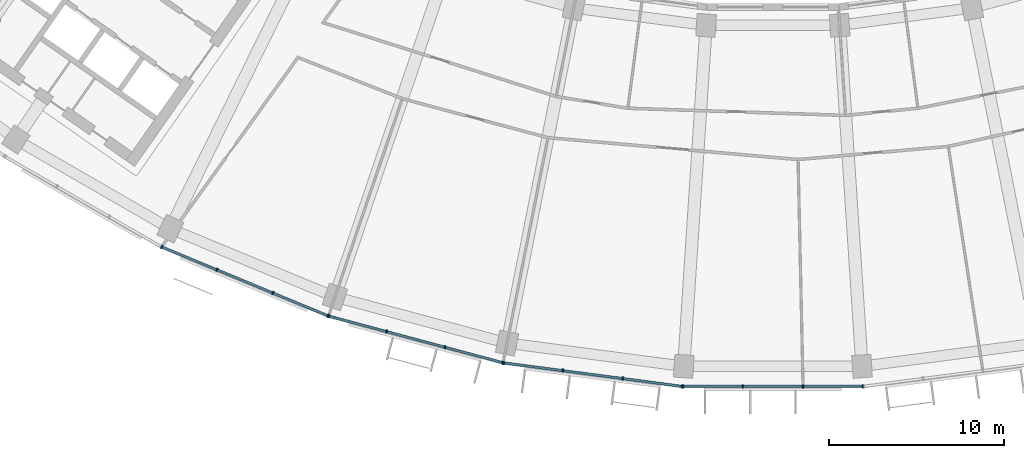
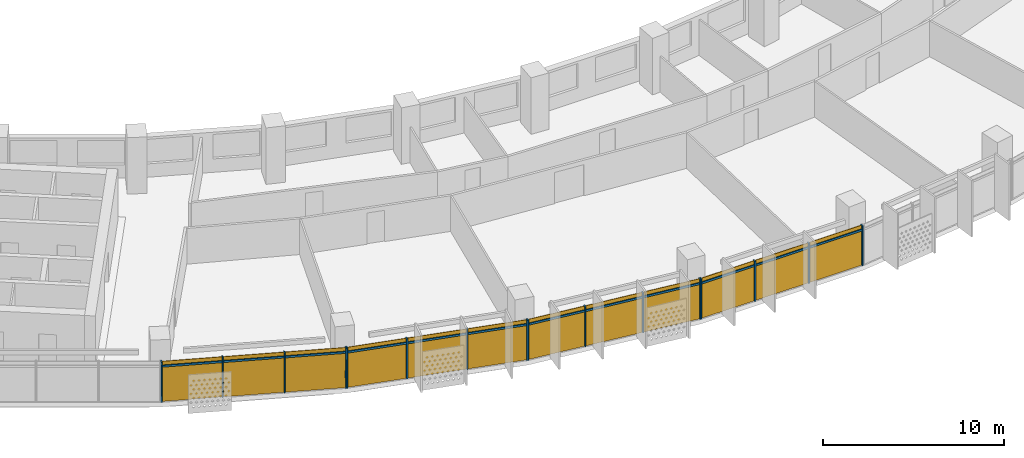
# One storey, part 18 of 27: 28 members, 4 curtain walls.
"""IFC4 building model written with IfcOpenShell, lengths in metres."""

from ifc_helpers import new_model, si_unit, direction, frame, origin, origin_2d, place, context, subcontext, project, spatial, rectangle, extrude, material, material_profile, profile_set, type_object, element, aggregate, save


model = new_model("IFC4")

# Units and contexts
model_context = context("Model", 3, precision=1e-05, world=origin(), true_north=direction((0.0, 1.0)))
body_context = subcontext(model_context, "Body", "Model", "MODEL_VIEW")
ifc_project = project(units=[si_unit("LENGTHUNIT", "METRE"), si_unit("AREAUNIT", "SQUARE_METRE"), si_unit("VOLUMEUNIT", "CUBIC_METRE"), si_unit("PLANEANGLEUNIT", "RADIAN"), si_unit("MASSUNIT", "GRAM", prefix="KILO")], contexts=[model_context])

# Member
ifc_material = material(Name="Aluminium 6063-T6 anodised", Category="aluminium")
ifc_material_profile_1 = material_profile(ifc_material, rectangle(XDim=0.199951171875, YDim=0.070068359375, at=origin_2d()))
ifc_profile_set_1 = profile_set([ifc_material_profile_1], Name="Aluminium 6063-T6 anodised")
member_type_1 = type_object("IfcMemberType", Name="Mullion 70 x 200 aluminium", PredefinedType="MULLION", material=ifc_profile_set_1)
site_placement = place(None, origin())
building_placement = place(site_placement, origin())
storey_placement = place(building_placement, frame((0.0, 0.0, 191.10009765625)))
member_1_placement = place(storey_placement, frame((-34.8701171875, -70.77392578125, 0.0), z_axis=(0.0, 0.0, 1.0), x_axis=(0.382683432365, 0.923879532511, 0.0)))
member_1 = element("IfcMember", 1, at=member_1_placement, type_object=member_type_1, Name="e-cw1-L45-out04/M00", PredefinedType="MULLION", context=body_context, shape_type="SweptSolid", body=[
    extrude(rectangle(XDim=0.199951171875, YDim=0.070068359375, at=origin_2d()), origin(), (0.0, 0.0, 1.0), 2.699951171875),
])

member_2_placement = place(storey_placement, frame((-31.72021484375, -72.078857421875, 0.0), z_axis=(0.0, 0.0, 1.0), x_axis=(0.382683432365, 0.923879532511, 0.0)))
member_2 = element("IfcMember", 2, at=member_2_placement, type_object=member_type_1, Name="e-cw1-L45-out04/M01", PredefinedType="MULLION", context=body_context, shape_type="SweptSolid", body=[
    extrude(rectangle(XDim=0.199951171875, YDim=0.070068359375, at=origin_2d()), origin(), (0.0, 0.0, 1.0), 2.699951171875),
])

member_3_placement = place(storey_placement, frame((-28.537841796875, -73.39697265625, 0.0), z_axis=(0.0, 0.0, 1.0), x_axis=(0.382683432365, 0.923879532511, 0.0)))
member_3 = element("IfcMember", 3, at=member_3_placement, type_object=member_type_1, Name="e-cw1-L45-out04/M02", PredefinedType="MULLION", context=body_context, shape_type="SweptSolid", body=[
    extrude(rectangle(XDim=0.199951171875, YDim=0.070068359375, at=origin_2d()), origin(), (0.0, 0.0, 1.0), 2.699951171875),
])

member_4_placement = place(storey_placement, frame((-25.3876953125, -74.70166015625, 0.0), z_axis=(0.0, 0.0, 1.0), x_axis=(0.382683432365, 0.923879532511, 0.0)))
member_4 = element("IfcMember", 4, at=member_4_placement, type_object=member_type_1, Name="e-cw1-L45-out04/M03", PredefinedType="MULLION", context=body_context, shape_type="SweptSolid", body=[
    extrude(rectangle(XDim=0.199951171875, YDim=0.070068359375, at=origin_2d()), origin(), (0.0, 0.0, 1.0), 2.699951171875),
])

member_5_placement = place(storey_placement, frame((-25.333984375, -74.719970703125, 0.0), z_axis=(0.0, 0.0, 1.0), x_axis=(0.258819045103, 0.965925826289, 0.0)))
member_5 = element("IfcMember", 5, at=member_5_placement, type_object=member_type_1, Name="e-cw1-L45-out05/M00", PredefinedType="MULLION", context=body_context, shape_type="SweptSolid", body=[
    extrude(rectangle(XDim=0.199951171875, YDim=0.070068359375, at=origin_2d()), origin(), (0.0, 0.0, 1.0), 2.699951171875),
])

member_6_placement = place(storey_placement, frame((-22.04052734375, -75.602294921875, 0.0), z_axis=(0.0, 0.0, 1.0), x_axis=(0.258819045103, 0.965925826289, 0.0)))
member_6 = element("IfcMember", 6, at=member_6_placement, type_object=member_type_1, Name="e-cw1-L45-out05/M01", PredefinedType="MULLION", context=body_context, shape_type="SweptSolid", body=[
    extrude(rectangle(XDim=0.199951171875, YDim=0.070068359375, at=origin_2d()), origin(), (0.0, 0.0, 1.0), 2.699951171875),
])

member_7_placement = place(storey_placement, frame((-18.71337890625, -76.493896484375, 0.0), z_axis=(0.0, 0.0, 1.0), x_axis=(0.258819045103, 0.965925826289, 0.0)))
member_7 = element("IfcMember", 7, at=member_7_placement, type_object=member_type_1, Name="e-cw1-L45-out05/M02", PredefinedType="MULLION", context=body_context, shape_type="SweptSolid", body=[
    extrude(rectangle(XDim=0.199951171875, YDim=0.070068359375, at=origin_2d()), origin(), (0.0, 0.0, 1.0), 2.699951171875),
])

member_8_placement = place(storey_placement, frame((-15.420166015625, -77.37646484375, 0.0), z_axis=(0.0, 0.0, 1.0), x_axis=(0.258819045103, 0.965925826289, 0.0)))
member_8 = element("IfcMember", 8, at=member_8_placement, type_object=member_type_1, Name="e-cw1-L45-out05/M03", PredefinedType="MULLION", context=body_context, shape_type="SweptSolid", body=[
    extrude(rectangle(XDim=0.199951171875, YDim=0.070068359375, at=origin_2d()), origin(), (0.0, 0.0, 1.0), 2.699951171875),
])

member_9_placement = place(storey_placement, frame((-15.364501953125, -77.387451171875, 0.0), z_axis=(0.0, 0.0, 1.0), x_axis=(0.13052619222, 0.991444861374, 0.0)))
member_9 = element("IfcMember", 9, at=member_9_placement, type_object=member_type_1, Name="e-cw1-L45-out06/M00", PredefinedType="MULLION", context=body_context, shape_type="SweptSolid", body=[
    extrude(rectangle(XDim=0.199951171875, YDim=0.070068359375, at=origin_2d()), origin(), (0.0, 0.0, 1.0), 2.699951171875),
])

member_10_placement = place(storey_placement, frame((-11.98388671875, -77.83251953125, 0.0), z_axis=(0.0, 0.0, 1.0), x_axis=(0.13052619222, 0.991444861374, 0.0)))
member_10 = element("IfcMember", 10, at=member_10_placement, type_object=member_type_1, Name="e-cw1-L45-out06/M01", PredefinedType="MULLION", context=body_context, shape_type="SweptSolid", body=[
    extrude(rectangle(XDim=0.199951171875, YDim=0.070068359375, at=origin_2d()), origin(), (0.0, 0.0, 1.0), 2.699951171875),
])

member_11_placement = place(storey_placement, frame((-8.56884765625, -78.2822265625, 0.0), z_axis=(0.0, 0.0, 1.0), x_axis=(0.13052619222, 0.991444861374, 0.0)))
member_11 = element("IfcMember", 11, at=member_11_placement, type_object=member_type_1, Name="e-cw1-L45-out06/M02", PredefinedType="MULLION", context=body_context, shape_type="SweptSolid", body=[
    extrude(rectangle(XDim=0.199951171875, YDim=0.070068359375, at=origin_2d()), origin(), (0.0, 0.0, 1.0), 2.699951171875),
])

member_12_placement = place(storey_placement, frame((-5.1884765625, -78.72705078125, 0.0), z_axis=(0.0, 0.0, 1.0), x_axis=(0.13052619222, 0.991444861374, 0.0)))
member_12 = element("IfcMember", 12, at=member_12_placement, type_object=member_type_1, Name="e-cw1-L45-out06/M03", PredefinedType="MULLION", context=body_context, shape_type="SweptSolid", body=[
    extrude(rectangle(XDim=0.199951171875, YDim=0.070068359375, at=origin_2d()), origin(), (0.0, 0.0, 1.0), 2.699951171875),
])

member_13_placement = place(storey_placement, frame((-5.1318359375, -78.73095703125, 0.0), z_axis=(0.0, 0.0, 1.0), x_axis=(0.0, 1.0, 0.0)))
member_13 = element("IfcMember", 13, at=member_13_placement, type_object=member_type_1, Name="e-cw1-L45-out07/M00", PredefinedType="MULLION", context=body_context, shape_type="SweptSolid", body=[
    extrude(rectangle(XDim=0.199951171875, YDim=0.070068359375, at=origin_2d()), origin(), (0.0, 0.0, 1.0), 2.699951171875),
])

member_14_placement = place(storey_placement, frame((-1.72216796875, -78.73095703125, 0.0), z_axis=(0.0, 0.0, 1.0), x_axis=(0.0, 1.0, 0.0)))
member_14 = element("IfcMember", 14, at=member_14_placement, type_object=member_type_1, Name="e-cw1-L45-out07/M01", PredefinedType="MULLION", context=body_context, shape_type="SweptSolid", body=[
    extrude(rectangle(XDim=0.199951171875, YDim=0.070068359375, at=origin_2d()), origin(), (0.0, 0.0, 1.0), 2.699951171875),
])

member_15_placement = place(storey_placement, frame((1.72216796875, -78.73095703125, 0.0), z_axis=(0.0, 0.0, 1.0), x_axis=(0.0, 1.0, 0.0)))
member_15 = element("IfcMember", 15, at=member_15_placement, type_object=member_type_1, Name="e-cw1-L45-out07/M02", PredefinedType="MULLION", context=body_context, shape_type="SweptSolid", body=[
    extrude(rectangle(XDim=0.199951171875, YDim=0.070068359375, at=origin_2d()), origin(), (0.0, 0.0, 1.0), 2.699951171875),
])

member_16_placement = place(storey_placement, frame((5.1318359375, -78.73095703125, 0.0), z_axis=(0.0, 0.0, 1.0), x_axis=(0.0, 1.0, 0.0)))
member_16 = element("IfcMember", 16, at=member_16_placement, type_object=member_type_1, Name="e-cw1-L45-out07/M03", PredefinedType="MULLION", context=body_context, shape_type="SweptSolid", body=[
    extrude(rectangle(XDim=0.199951171875, YDim=0.070068359375, at=origin_2d()), origin(), (0.0, 0.0, 1.0), 2.699951171875),
])

ifc_material_profile_2 = material_profile(ifc_material, rectangle(XDim=0.139892578125, YDim=0.1201171875, at=origin_2d()))
ifc_profile_set_2 = profile_set([ifc_material_profile_2], Name="Aluminium 6063-T6 anodised")
member_type_2 = type_object("IfcMemberType", Name="Transom 120 x 140 aluminium", PredefinedType="USERDEFINED", material=ifc_profile_set_2)
member_17_placement = place(storey_placement, frame((-34.837890625, -70.787353515625, 2.39990234375), z_axis=(0.923875164544, -0.382693977401, 0.0), x_axis=(0.382693977401, 0.923875164544, 0.0)))
member_17 = element("IfcMember", 17, at=member_17_placement, type_object=member_type_2, Name="e-cw1-L45-out04/T00", ObjectType="TRANSOM", PredefinedType="USERDEFINED", context=body_context, shape_type="SweptSolid", body=[
    extrude(rectangle(XDim=0.139892578125, YDim=0.1201171875, at=origin_2d()), origin(), (0.0, 0.0, 1.0), 3.339599609375),
])

member_18_placement = place(storey_placement, frame((-31.687744140625, -72.092041015625, 2.39990234375), z_axis=(0.923866926753, -0.382713863941, 0.0), x_axis=(0.382713863941, 0.923866926753, 0.0)))
member_18 = element("IfcMember", 18, at=member_18_placement, type_object=member_type_2, Name="e-cw1-L45-out04/T01", ObjectType="TRANSOM", PredefinedType="USERDEFINED", context=body_context, shape_type="SweptSolid", body=[
    extrude(rectangle(XDim=0.139892578125, YDim=0.1201171875, at=origin_2d()), origin(), (0.0, 0.0, 1.0), 3.37451171875),
])

member_19_placement = place(storey_placement, frame((-28.50537109375, -73.410400390625, 2.39990234375), z_axis=(0.923890305385, -0.382657423311, 0.0), x_axis=(0.382657423311, 0.923890305385, 0.0)))
member_19 = element("IfcMember", 19, at=member_19_placement, type_object=member_type_2, Name="e-cw1-L45-out04/T02", ObjectType="TRANSOM", PredefinedType="USERDEFINED", context=body_context, shape_type="SweptSolid", body=[
    extrude(rectangle(XDim=0.139892578125, YDim=0.1201171875, at=origin_2d()), origin(), (0.0, 0.0, 1.0), 3.33935546875),
])

member_20_placement = place(storey_placement, frame((-25.30029296875, -74.72900390625, 2.39990234375), z_axis=(0.965933368091, -0.258790897074, 0.0), x_axis=(0.258790897074, 0.965933368091, 0.0)))
member_20 = element("IfcMember", 20, at=member_20_placement, type_object=member_type_2, Name="e-cw1-L45-out05/T00", ObjectType="TRANSOM", PredefinedType="USERDEFINED", context=body_context, shape_type="SweptSolid", body=[
    extrude(rectangle(XDim=0.139892578125, YDim=0.1201171875, at=origin_2d()), origin(), (0.0, 0.0, 1.0), 3.339599609375),
])

member_21_placement = place(storey_placement, frame((-22.0068359375, -75.611572265625, 2.39990234375), z_axis=(0.965932873966, -0.258792741381, 0.0), x_axis=(0.258792741381, 0.965932873966, 0.0)))
member_21 = element("IfcMember", 21, at=member_21_placement, type_object=member_type_2, Name="e-cw1-L45-out05/T01", ObjectType="TRANSOM", PredefinedType="USERDEFINED", context=body_context, shape_type="SweptSolid", body=[
    extrude(rectangle(XDim=0.139892578125, YDim=0.1201171875, at=origin_2d()), origin(), (0.0, 0.0, 1.0), 3.37451171875),
])

member_22_placement = place(storey_placement, frame((-18.6796875, -76.5029296875, 2.39990234375), z_axis=(0.96591509168, -0.258859103886, 0.0), x_axis=(0.258859103886, 0.96591509168, 0.0)))
member_22 = element("IfcMember", 22, at=member_22_placement, type_object=member_type_2, Name="e-cw1-L45-out05/T02", ObjectType="TRANSOM", PredefinedType="USERDEFINED", context=body_context, shape_type="SweptSolid", body=[
    extrude(rectangle(XDim=0.139892578125, YDim=0.1201171875, at=origin_2d()), origin(), (0.0, 0.0, 1.0), 3.339599609375),
])

member_23_placement = place(storey_placement, frame((-15.32958984375, -77.39208984375, 2.39990234375), z_axis=(0.991448073325, -0.130501792706, 0.0), x_axis=(0.130501792706, 0.991448073325, 0.0)))
member_23 = element("IfcMember", 23, at=member_23_placement, type_object=member_type_2, Name="e-cw1-L45-out06/T00", ObjectType="TRANSOM", PredefinedType="USERDEFINED", context=body_context, shape_type="SweptSolid", body=[
    extrude(rectangle(XDim=0.139892578125, YDim=0.1201171875, at=origin_2d()), origin(), (0.0, 0.0, 1.0), 3.33935546875),
])

member_24_placement = place(storey_placement, frame((-11.94921875, -77.837158203125, 2.39990234375), z_axis=(0.991446413845, -0.130514399487, 0.0), x_axis=(0.130514399487, 0.991446413845, 0.0)))
member_24 = element("IfcMember", 24, at=member_24_placement, type_object=member_type_2, Name="e-cw1-L45-out06/T01", ObjectType="TRANSOM", PredefinedType="USERDEFINED", context=body_context, shape_type="SweptSolid", body=[
    extrude(rectangle(XDim=0.139892578125, YDim=0.1201171875, at=origin_2d()), origin(), (0.0, 0.0, 1.0), 3.37451171875),
])

member_25_placement = place(storey_placement, frame((-8.5341796875, -78.28662109375, 2.39990234375), z_axis=(0.991439857731, -0.130564193033, 0.0), x_axis=(0.130564193033, 0.991439857731, 0.0)))
member_25 = element("IfcMember", 25, at=member_25_placement, type_object=member_type_2, Name="e-cw1-L45-out06/T02", ObjectType="TRANSOM", PredefinedType="USERDEFINED", context=body_context, shape_type="SweptSolid", body=[
    extrude(rectangle(XDim=0.139892578125, YDim=0.1201171875, at=origin_2d()), origin(), (0.0, 0.0, 1.0), 3.339599609375),
])

member_26_placement = place(storey_placement, frame((-5.096923828125, -78.73095703125, 2.39990234375), z_axis=(1.0, 0.0, 0.0), x_axis=(0.0, 1.0, 0.0)))
member_26 = element("IfcMember", 26, at=member_26_placement, type_object=member_type_2, Name="e-cw1-L45-out07/T00", ObjectType="TRANSOM", PredefinedType="USERDEFINED", context=body_context, shape_type="SweptSolid", body=[
    extrude(rectangle(XDim=0.139892578125, YDim=0.1201171875, at=origin_2d()), origin(), (0.0, 0.0, 1.0), 3.339599609375),
])

member_27_placement = place(storey_placement, frame((-1.687255859375, -78.73095703125, 2.39990234375), z_axis=(1.0, 0.0, 0.0), x_axis=(0.0, 1.0, 0.0)))
member_27 = element("IfcMember", 27, at=member_27_placement, type_object=member_type_2, Name="e-cw1-L45-out07/T01", ObjectType="TRANSOM", PredefinedType="USERDEFINED", context=body_context, shape_type="SweptSolid", body=[
    extrude(rectangle(XDim=0.139892578125, YDim=0.1201171875, at=origin_2d()), origin(), (0.0, 0.0, 1.0), 3.37451171875),
])

member_28_placement = place(storey_placement, frame((1.75732421875, -78.73095703125, 2.39990234375), z_axis=(1.0, 0.0, 0.0), x_axis=(0.0, 1.0, 0.0)))
member_28 = element("IfcMember", 28, at=member_28_placement, type_object=member_type_2, Name="e-cw1-L45-out07/T02", ObjectType="TRANSOM", PredefinedType="USERDEFINED", context=body_context, shape_type="SweptSolid", body=[
    extrude(rectangle(XDim=0.139892578125, YDim=0.1201171875, at=origin_2d()), origin(), (0.0, 0.0, 1.0), 3.339599609375),
])

# Site, building, storey
site = spatial("IfcSite", under=ifc_project, at=site_placement, CompositionType="ELEMENT")
building = spatial("IfcBuilding", under=site, at=building_placement, Name="Qamariyya Broadcast Tower", CompositionType="ELEMENT")
storey = spatial("IfcBuildingStorey", under=building, at=storey_placement, Name="L45", CompositionType="ELEMENT", Elevation=191.10009765625)

# Curtain wall
curtain_wall_type = type_object("IfcCurtainWallType", Name="Unitised curtain wall, anodised aluminium", PredefinedType="NOTDEFINED", material=ifc_material)
curtain_wall_1_placement = place(storey_placement, origin())
curtain_wall_1 = element("IfcCurtainWall", 29, at=curtain_wall_1_placement, inside=storey, type_object=curtain_wall_type, Name="e-cw1-L45-out04", PredefinedType="NOTDEFINED", context=body_context, shape_type="SweptSolid", body=[
    extrude(rectangle(XDim=3.339599609375, YDim=0.031982421875, at=origin_2d()), frame((-33.295166015625, -71.42626953125, 0.0), x_axis=(0.923878040314, -0.382687034829, 0.0)), (0.0, 0.0, 1.0), 2.340087890625),
    extrude(rectangle(XDim=3.339599609375, YDim=0.031982421875, at=origin_2d()), frame((-33.295166015625, -71.42626953125, 2.4599609375), x_axis=(0.923878040314, -0.382687034829, 0.0)), (0.0, 0.0, 1.0), 0.239990234375),
    extrude(rectangle(XDim=3.37451171875, YDim=0.031982421875, at=origin_2d()), frame((-30.12890625, -72.73779296875, 0.0), x_axis=(0.923878040314, -0.382687034829, 0.0)), (0.0, 0.0, 1.0), 2.340087890625),
    extrude(rectangle(XDim=3.37451171875, YDim=0.031982421875, at=origin_2d()), frame((-30.12890625, -72.73779296875, 2.4599609375), x_axis=(0.923878040314, -0.382687034829, 0.0)), (0.0, 0.0, 1.0), 0.239990234375),
    extrude(rectangle(XDim=3.339599609375, YDim=0.031982421875, at=origin_2d()), frame((-26.962890625, -74.04931640625, 0.0), x_axis=(0.923878040314, -0.382687034829, 0.0)), (0.0, 0.0, 1.0), 2.340087890625),
    extrude(rectangle(XDim=3.339599609375, YDim=0.031982421875, at=origin_2d()), frame((-26.962890625, -74.04931640625, 2.4599609375), x_axis=(0.923878040314, -0.382687034829, 0.0)), (0.0, 0.0, 1.0), 0.239990234375),
])

aggregate(curtain_wall_1, [member_1, member_2, member_3, member_4, member_17, member_18, member_19])

curtain_wall_2_placement = place(storey_placement, origin())
curtain_wall_2 = element("IfcCurtainWall", 30, at=curtain_wall_2_placement, inside=storey, type_object=curtain_wall_type, Name="e-cw1-L45-out05", PredefinedType="NOTDEFINED", context=body_context, shape_type="SweptSolid", body=[
    extrude(rectangle(XDim=3.339599609375, YDim=0.031982421875, at=origin_2d()), frame((-23.6875, -75.1611328125, 0.0), x_axis=(0.965926433062, -0.258816780584, 0.0)), (0.0, 0.0, 1.0), 2.340087890625),
    extrude(rectangle(XDim=3.339599609375, YDim=0.031982421875, at=origin_2d()), frame((-23.6875, -75.1611328125, 2.4599609375), x_axis=(0.965926433062, -0.258816780584, 0.0)), (0.0, 0.0, 1.0), 0.239990234375),
    extrude(rectangle(XDim=3.37451171875, YDim=0.031982421875, at=origin_2d()), frame((-20.376953125, -76.04833984375, 0.0), x_axis=(0.965926433062, -0.258816780584, 0.0)), (0.0, 0.0, 1.0), 2.340087890625),
    extrude(rectangle(XDim=3.37451171875, YDim=0.031982421875, at=origin_2d()), frame((-20.376953125, -76.04833984375, 2.4599609375), x_axis=(0.965926433062, -0.258816780584, 0.0)), (0.0, 0.0, 1.0), 0.239990234375),
    extrude(rectangle(XDim=3.339599609375, YDim=0.031982421875, at=origin_2d()), frame((-17.066650390625, -76.935302734375, 0.0), x_axis=(0.965926433062, -0.258816780584, 0.0)), (0.0, 0.0, 1.0), 2.340087890625),
    extrude(rectangle(XDim=3.339599609375, YDim=0.031982421875, at=origin_2d()), frame((-17.066650390625, -76.935302734375, 2.4599609375), x_axis=(0.965926433062, -0.258816780584, 0.0)), (0.0, 0.0, 1.0), 0.239990234375),
])

aggregate(curtain_wall_2, [member_5, member_6, member_7, member_8, member_20, member_21, member_22])

curtain_wall_3_placement = place(storey_placement, origin())
curtain_wall_3 = element("IfcCurtainWall", 31, at=curtain_wall_3_placement, inside=storey, type_object=curtain_wall_type, Name="e-cw1-L45-out06", PredefinedType="NOTDEFINED", context=body_context, shape_type="SweptSolid", body=[
    extrude(rectangle(XDim=3.339599609375, YDim=0.031982421875, at=origin_2d()), frame((-13.67431640625, -77.60986328125, 0.0), x_axis=(0.991444240905, -0.130530905064, 0.0)), (0.0, 0.0, 1.0), 2.340087890625),
    extrude(rectangle(XDim=3.339599609375, YDim=0.031982421875, at=origin_2d()), frame((-13.67431640625, -77.60986328125, 2.4599609375), x_axis=(0.991444240905, -0.130530905064, 0.0)), (0.0, 0.0, 1.0), 0.239990234375),
    extrude(rectangle(XDim=3.37451171875, YDim=0.031982421875, at=origin_2d()), frame((-10.2763671875, -78.05712890625, 0.0), x_axis=(0.991444240905, -0.130530905064, 0.0)), (0.0, 0.0, 1.0), 2.340087890625),
    extrude(rectangle(XDim=3.37451171875, YDim=0.031982421875, at=origin_2d()), frame((-10.2763671875, -78.05712890625, 2.4599609375), x_axis=(0.991444240905, -0.130530905064, 0.0)), (0.0, 0.0, 1.0), 0.239990234375),
    extrude(rectangle(XDim=3.339599609375, YDim=0.031982421875, at=origin_2d()), frame((-6.878662109375, -78.504638671875, 0.0), x_axis=(0.991444240905, -0.130530905064, 0.0)), (0.0, 0.0, 1.0), 2.340087890625),
    extrude(rectangle(XDim=3.339599609375, YDim=0.031982421875, at=origin_2d()), frame((-6.878662109375, -78.504638671875, 2.4599609375), x_axis=(0.991444240905, -0.130530905064, 0.0)), (0.0, 0.0, 1.0), 0.239990234375),
])

aggregate(curtain_wall_3, [member_9, member_10, member_11, member_12, member_23, member_24, member_25])

curtain_wall_4_placement = place(storey_placement, origin())
curtain_wall_4 = element("IfcCurtainWall", 32, at=curtain_wall_4_placement, inside=storey, type_object=curtain_wall_type, Name="e-cw1-L45-out07", PredefinedType="NOTDEFINED", context=body_context, shape_type="SweptSolid", body=[
    extrude(rectangle(XDim=3.339599609375, YDim=0.031982421875, at=origin_2d()), frame((-3.427001953125, -78.73095703125, 0.0), x_axis=(1.0, 0.0, 0.0)), (0.0, 0.0, 1.0), 2.340087890625),
    extrude(rectangle(XDim=3.339599609375, YDim=0.031982421875, at=origin_2d()), frame((-3.427001953125, -78.73095703125, 2.4599609375), x_axis=(1.0, 0.0, 0.0)), (0.0, 0.0, 1.0), 0.239990234375),
    extrude(rectangle(XDim=3.37451171875, YDim=0.031982421875, at=origin_2d()), frame((0.0, -78.73095703125, 0.0), x_axis=(1.0, 0.0, 0.0)), (0.0, 0.0, 1.0), 2.340087890625),
    extrude(rectangle(XDim=3.37451171875, YDim=0.031982421875, at=origin_2d()), frame((0.0, -78.73095703125, 2.4599609375), x_axis=(1.0, 0.0, 0.0)), (0.0, 0.0, 1.0), 0.239990234375),
    extrude(rectangle(XDim=3.339599609375, YDim=0.031982421875, at=origin_2d()), frame((3.427001953125, -78.73095703125, 0.0), x_axis=(1.0, 0.0, 0.0)), (0.0, 0.0, 1.0), 2.340087890625),
    extrude(rectangle(XDim=3.339599609375, YDim=0.031982421875, at=origin_2d()), frame((3.427001953125, -78.73095703125, 2.4599609375), x_axis=(1.0, 0.0, 0.0)), (0.0, 0.0, 1.0), 0.239990234375),
])

aggregate(curtain_wall_4, [member_13, member_14, member_15, member_16, member_26, member_27, member_28])

save(model, "model.ifc")
